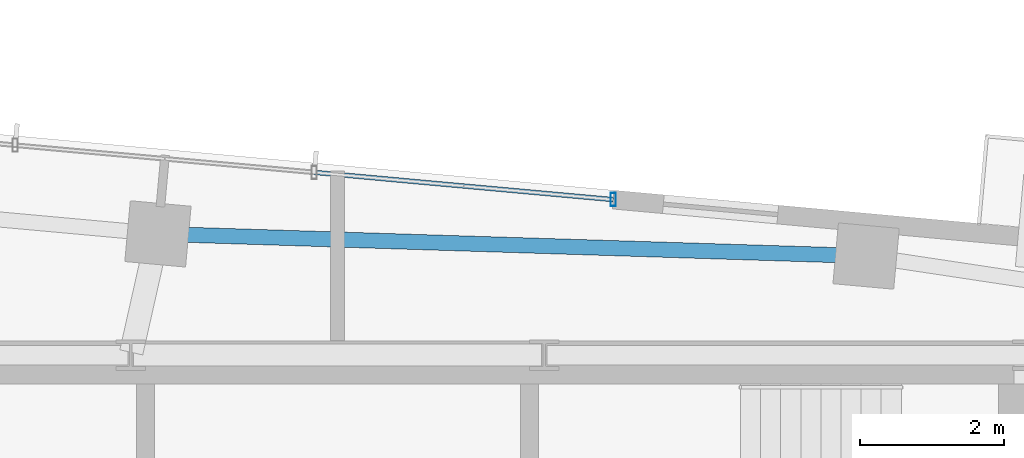
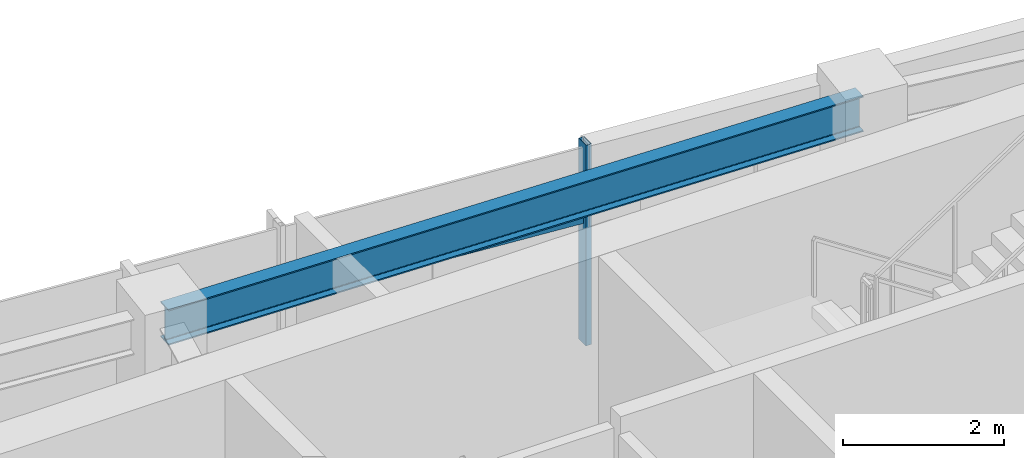
# One storey, part 11 of 22: 2 members, 1 beam, 1 element without a shape of its own.
"""IFC4 building model written with IfcOpenShell, lengths in metres."""

from ifc_helpers import new_model, si_unit, direction, frame, origin, origin_2d, place, context, subcontext, project, spatial, hollow_rectangle, i_section, extrude, source, transform, mapped, material, material_profile, profile_set, type_object, type_shapes, element, aggregate, save


model = new_model("IFC4")

# Units and contexts
model_context = context("Model", 3, precision=1e-05, world=origin(), true_north=direction((0.0, 1.0)))
body_context = subcontext(model_context, "Body", "Model", "MODEL_VIEW")
ifc_project = project(units=[si_unit("LENGTHUNIT", "METRE"), si_unit("AREAUNIT", "SQUARE_METRE"), si_unit("VOLUMEUNIT", "CUBIC_METRE"), si_unit("PLANEANGLEUNIT", "RADIAN"), si_unit("MASSUNIT", "GRAM", prefix="KILO")], contexts=[model_context])

# Site, building, storey
site_placement = place(None, origin())
site = spatial("IfcSite", under=ifc_project, at=site_placement, CompositionType="ELEMENT")
building_placement = place(site_placement, origin())
building = spatial("IfcBuilding", under=site, at=building_placement, Name="Astriad Promenade Condominiums", CompositionType="ELEMENT")
storey_placement = place(building_placement, frame((0.0, 0.0, 243.0)))
storey = spatial("IfcBuildingStorey", under=building, at=storey_placement, Name="L70", CompositionType="ELEMENT", Elevation=243.0)

# Beam
ifc_material_1 = material(Name="Steel ASTM A992 Grade 50", Category="steel")
ifc_material_profile_1 = material_profile(ifc_material_1, i_section(OverallWidth=0.210693359375, OverallDepth=0.53955078125, WebThickness=0.01171875, FlangeThickness=0.018798828125, FilletRadius=0.0166015625, at=origin_2d()), Name="W21X73")
ifc_profile_set_1 = profile_set([ifc_material_profile_1], Name="Steel ASTM A992 Grade 50")
beam_type = type_object("IfcBeamType", Name="STEEL SPANDREL BEAM W21X73", PredefinedType="SPANDREL", material=ifc_profile_set_1)
shared_shape_1 = source(origin(), body_context, "Body", "SweptSolid", [
    extrude(i_section(OverallWidth=0.210693359375, OverallDepth=0.53955078125, WebThickness=0.01171875, FlangeThickness=0.018798828125, FilletRadius=0.0166015625, at=origin_2d()), origin(), (0.0, 0.0, 1.0), 9.783935546875),
])
type_shapes(beam_type, [shared_shape_1])
beam_placement = place(storey_placement, frame((43.31884765625, 25.381103515625, 2.770263671875), z_axis=(-0.999511077438, 0.031266692798, 0.0), x_axis=(-0.031266692798, -0.999511077438, 0.0)))
element("IfcBeam", 1, at=beam_placement, inside=storey, type_object=beam_type, Name="Perimeter Spandrel Beam SP-N3-L70", PredefinedType="SPANDREL", context=body_context, shape_type="MappedRepresentation", body=[
    mapped(shared_shape_1, transform((0.0, 0.0, 0.0), scale=1.0)),
])

# Curtain wall, members
ifc_material_2 = material(Name="Anodised aluminium Black Dark Glass Unitised", Category="aluminium")
curtain_wall_type = type_object("IfcCurtainWallType", Name="CW-B5-DARK", PredefinedType="USERDEFINED", material=ifc_material_2)
curtain_wall_placement = place(storey_placement, origin())
curtain_wall = element("IfcCurtainWall", 2, at=curtain_wall_placement, inside=storey, type_object=curtain_wall_type, Name="CW-L70-N", ObjectType="UNITISED_CURTAIN_WALL", PredefinedType="USERDEFINED")
ifc_material_3 = material(Name="Anodised aluminium 6063-T6 Black", Category="aluminium")
ifc_material_profile_2 = material_profile(ifc_material_3, hollow_rectangle(XDim=0.06494140625, YDim=0.1298828125, WallThickness=0.00390625, at=origin_2d()), Name="ALU-TRN-65X130")
ifc_profile_set_2 = profile_set([ifc_material_profile_2], Name="Anodised aluminium 6063-T6 Black")
member_type_1 = type_object("IfcMemberType", Name="TRN-ALU-TRN-65X130", PredefinedType="USERDEFINED", material=ifc_profile_set_2)
shared_shape_2 = source(origin(), body_context, "Body", "SweptSolid", [
    extrude(hollow_rectangle(XDim=0.06494140625, YDim=0.1298828125, WallThickness=0.00390625, at=origin_2d()), origin(), (0.0, 0.0, 1.0), 4.179931640625),
])
type_shapes(member_type_1, [shared_shape_2])
member_1_placement = place(storey_placement, frame((35.67626953125, 26.54443359375, 1.884765625), z_axis=(0.995883146811, -0.090646334165, 0.0), x_axis=(0.090646334165, 0.995883146811, 0.0)))
member_1 = element("IfcMember", 3, at=member_1_placement, type_object=member_type_1, Name="CW-L70-N-TRN-02-0", ObjectType="TRANSOM", PredefinedType="USERDEFINED", context=body_context, shape_type="MappedRepresentation", body=[
    mapped(shared_shape_2, transform((0.0, 0.0, 0.0), scale=1.0)),
])
ifc_material_profile_3 = material_profile(ifc_material_3, hollow_rectangle(XDim=0.074951171875, YDim=0.18505859375, WallThickness=0.00439453125, at=origin_2d()), Name="ALU-MUL-75X185")
ifc_profile_set_3 = profile_set([ifc_material_profile_3], Name="Anodised aluminium 6063-T6 Black")
member_type_2 = type_object("IfcMemberType", Name="MUL-ALU-MUL-75X185", PredefinedType="MULLION", material=ifc_profile_set_3)
shared_shape_3 = source(origin(), body_context, "Body", "SweptSolid", [
    extrude(hollow_rectangle(XDim=0.074951171875, YDim=0.18505859375, WallThickness=0.00439453125, at=origin_2d()), origin(), (0.0, 0.0, 1.0), 3.0400390625),
])
type_shapes(member_type_2, [shared_shape_3])
member_2_placement = place(storey_placement, frame((39.839111328125, 26.16552734375, 0.0), z_axis=(0.0, 0.0, 1.0), x_axis=(1.0, 0.0, 0.0)))
member_2 = element("IfcMember", 4, at=member_2_placement, type_object=member_type_2, Name="CW-L70-N-MUL-03", PredefinedType="MULLION", context=body_context, shape_type="MappedRepresentation", body=[
    mapped(shared_shape_3, transform((0.0, 0.0, 0.0), scale=1.0)),
])
aggregate(curtain_wall, [member_2, member_1])

save(model, "model.ifc")
